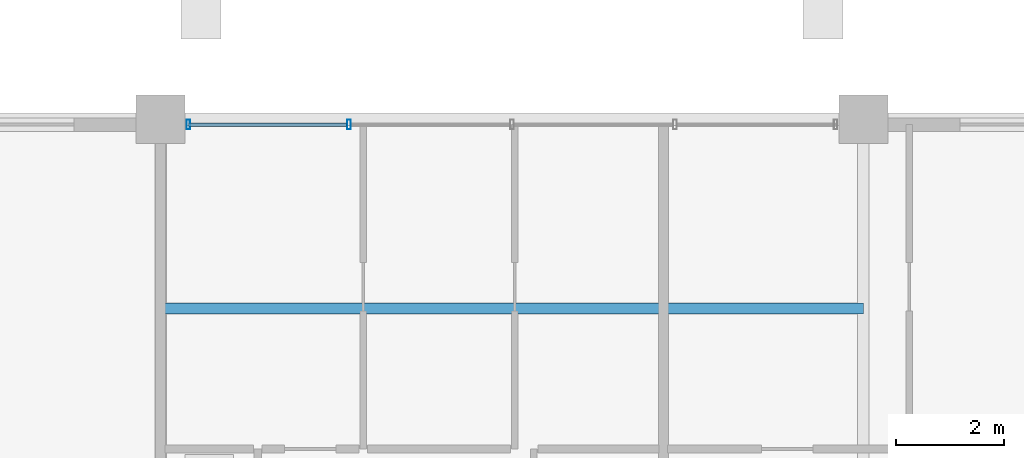
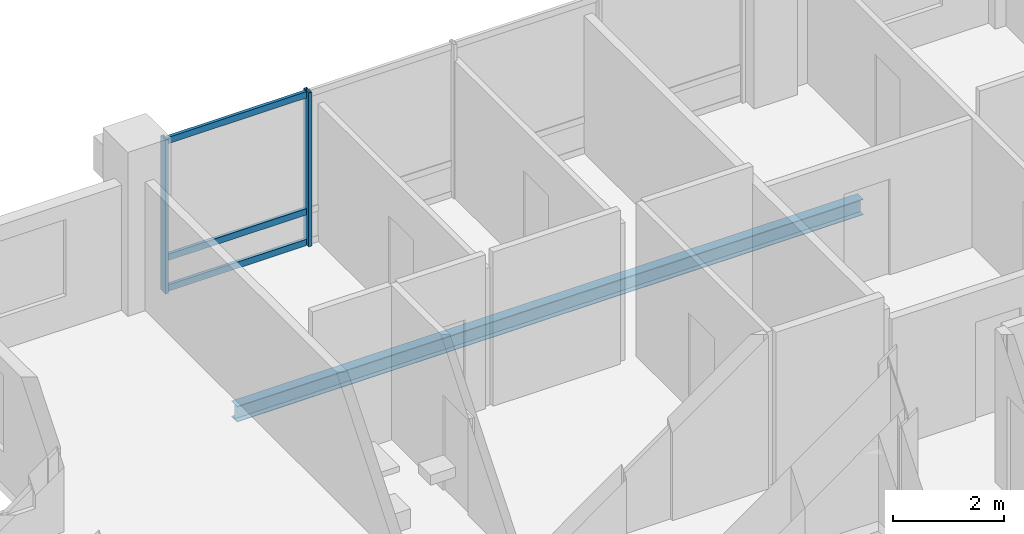
# One storey, part 12 of 21: 5 members, 1 beam, 1 element without a shape of its own.
"""IFC4 building model written with IfcOpenShell, lengths in metres."""

from ifc_helpers import new_model, si_unit, direction, frame, origin, origin_2d, place, context, subcontext, project, spatial, hollow_rectangle, i_section, extrude, material, layer, layer_set, material_profile, profile_set, type_object, element, aggregate, save


model = new_model("IFC4")

# Units and contexts
model_context = context("Model", 3, precision=1e-05, world=origin(), true_north=direction((0.0, 1.0)))
body_context = subcontext(model_context, "Body", "Model", "MODEL_VIEW")
ifc_project = project(units=[si_unit("LENGTHUNIT", "METRE"), si_unit("AREAUNIT", "SQUARE_METRE"), si_unit("VOLUMEUNIT", "CUBIC_METRE"), si_unit("PLANEANGLEUNIT", "RADIAN"), si_unit("MASSUNIT", "GRAM", prefix="KILO")], contexts=[model_context])

# Site, building, storey
site_placement = place(None, origin())
site = spatial("IfcSite", under=ifc_project, at=site_placement, CompositionType="ELEMENT")
building_placement = place(site_placement, origin())
building = spatial("IfcBuilding", under=site, at=building_placement, Name="Barlavira Tower and Art Museum", CompositionType="ELEMENT")
storey_placement = place(building_placement, frame((0.0, 0.0, 233.10009765625)))
storey = spatial("IfcBuildingStorey", under=building, at=storey_placement, Name="L60", CompositionType="ELEMENT", Elevation=233.10009765625)

# Curtain wall, members
ifc_material_1 = material(Name="Low-iron coastal laminated glass", Category="glass")
ifc_layer = layer(ifc_material_1, 0.2099609375, Name="Low-iron coastal laminated glass")
ifc_layer_set = layer_set([ifc_layer], Name="Low-iron coastal laminated glass")
curtain_wall_type = type_object("IfcCurtainWallType", Name="Pale-Metal Unitised Curtain Wall Zone 4", PredefinedType="NOTDEFINED", material=ifc_layer_set)
curtain_wall_placement = place(storey_placement, origin())
curtain_wall = element("IfcCurtainWall", 1, at=curtain_wall_placement, inside=storey, type_object=curtain_wall_type, Name="L60 Curtain Wall CW4-L60-N-B2", PredefinedType="NOTDEFINED")
ifc_material_2 = material(Name="Pale anodised aluminium", Category="aluminium")
ifc_material_profile_1 = material_profile(ifc_material_2, hollow_rectangle(XDim=0.06494140625, YDim=0.179931640625, WallThickness=0.00390625, at=origin_2d()), Name="ALU-MULL 65x180x4")
ifc_profile_set_1 = profile_set([ifc_material_profile_1], Name="Pale anodised aluminium")
member_type_1 = type_object("IfcMemberType", Name="Curtain Wall Pale-Metal Mullion 65x180", PredefinedType="MULLION", material=ifc_profile_set_1)
member_1_placement = place(storey_placement, frame((-3.014892578125, 19.89990234375, 0.0), z_axis=(0.0, 0.0, 1.0), x_axis=(-1.0, 0.0, 0.0)))
member_1 = element("IfcMember", 2, at=member_1_placement, type_object=member_type_1, Name="CW4-L60-N-B2 Mullion 3", PredefinedType="MULLION", context=body_context, shape_type="SweptSolid", body=[
    extrude(hollow_rectangle(XDim=0.06494140625, YDim=0.179931640625, WallThickness=0.00390625, at=origin_2d()), origin(), (0.0, 0.0, 1.0), 3.3798828125),
])
member_2_placement = place(storey_placement, frame((-5.985107421875, 19.89990234375, 0.0), z_axis=(0.0, 0.0, 1.0), x_axis=(-1.0, 0.0, 0.0)))
member_2 = element("IfcMember", 3, at=member_2_placement, type_object=member_type_1, Name="CW4-L60-N-B2 Mullion 4", PredefinedType="MULLION", context=body_context, shape_type="SweptSolid", body=[
    extrude(hollow_rectangle(XDim=0.06494140625, YDim=0.179931640625, WallThickness=0.00390625, at=origin_2d()), origin(), (0.0, 0.0, 1.0), 3.3798828125),
])
ifc_material_profile_2 = material_profile(ifc_material_2, hollow_rectangle(XDim=0.06494140625, YDim=0.139892578125, WallThickness=0.00390625, at=origin_2d()), Name="ALU-TRAN 65x140x4")
ifc_profile_set_2 = profile_set([ifc_material_profile_2], Name="Pale anodised aluminium")
member_type_2 = type_object("IfcMemberType", Name="Curtain Wall Pale-Metal Transom 65x140", PredefinedType="USERDEFINED", material=ifc_profile_set_2)
member_3_placement = place(storey_placement, frame((-3.06005859375, 19.89990234375, 0.06982421875), z_axis=(-1.0, 0.0, 0.0), x_axis=(0.0, -1.0, 0.0)))
member_3 = element("IfcMember", 4, at=member_3_placement, type_object=member_type_2, Name="CW4-L60-N-B2 Transom 3.1", ObjectType="TRANSOM", PredefinedType="USERDEFINED", context=body_context, shape_type="SweptSolid", body=[
    extrude(hollow_rectangle(XDim=0.06494140625, YDim=0.139892578125, WallThickness=0.00390625, at=origin_2d()), origin(), (0.0, 0.0, 1.0), 2.925048828125),
])
member_4_placement = place(storey_placement, frame((-3.06005859375, 19.89990234375, 0.743896484375), z_axis=(-1.0, 0.0, 0.0), x_axis=(0.0, -1.0, 0.0)))
member_4 = element("IfcMember", 5, at=member_4_placement, type_object=member_type_2, Name="CW4-L60-N-B2 Transom 3.2", ObjectType="TRANSOM", PredefinedType="USERDEFINED", context=body_context, shape_type="SweptSolid", body=[
    extrude(hollow_rectangle(XDim=0.06494140625, YDim=0.139892578125, WallThickness=0.00390625, at=origin_2d()), origin(), (0.0, 0.0, 1.0), 2.925048828125),
])
member_5_placement = place(storey_placement, frame((-3.06005859375, 19.89990234375, 3.309814453125), z_axis=(-1.0, 0.0, 0.0), x_axis=(0.0, -1.0, 0.0)))
member_5 = element("IfcMember", 6, at=member_5_placement, type_object=member_type_2, Name="CW4-L60-N-B2 Transom 3.3", ObjectType="TRANSOM", PredefinedType="USERDEFINED", context=body_context, shape_type="SweptSolid", body=[
    extrude(hollow_rectangle(XDim=0.06494140625, YDim=0.139892578125, WallThickness=0.00390625, at=origin_2d()), origin(), (0.0, 0.0, 1.0), 2.925048828125),
])
aggregate(curtain_wall, [member_1, member_2, member_3, member_4, member_5])

# Beam
ifc_material_3 = material(Name="Steel S355", Category="steel")
ifc_material_profile_3 = material_profile(ifc_material_3, i_section(OverallWidth=0.202880859375, OverallDepth=0.346923828125, WebThickness=0.0078125, FlangeThickness=0.013427734375, at=origin_2d()), Name="W360x64.0")
ifc_profile_set_3 = profile_set([ifc_material_profile_3], Name="Steel S355")
beam_type = type_object("IfcBeamType", Name="Zone 4 Composite Floor Joist W360x64 Steel S355", PredefinedType="JOIST", material=ifc_profile_set_3)
beam_placement = place(storey_placement, frame((-6.5, 16.5, -0.3935546875), z_axis=(1.0, 0.0, 0.0), x_axis=(0.0, 1.0, 0.0)))
element("IfcBeam", 7, at=beam_placement, inside=storey, type_object=beam_type, Name="L60 Joist C2", PredefinedType="JOIST", context=body_context, shape_type="SweptSolid", body=[
    extrude(i_section(OverallWidth=0.202880859375, OverallDepth=0.346923828125, WebThickness=0.0078125, FlangeThickness=0.013427734375, at=origin_2d()), origin(), (0.0, 0.0, 1.0), 13.0),
])

save(model, "model.ifc")
